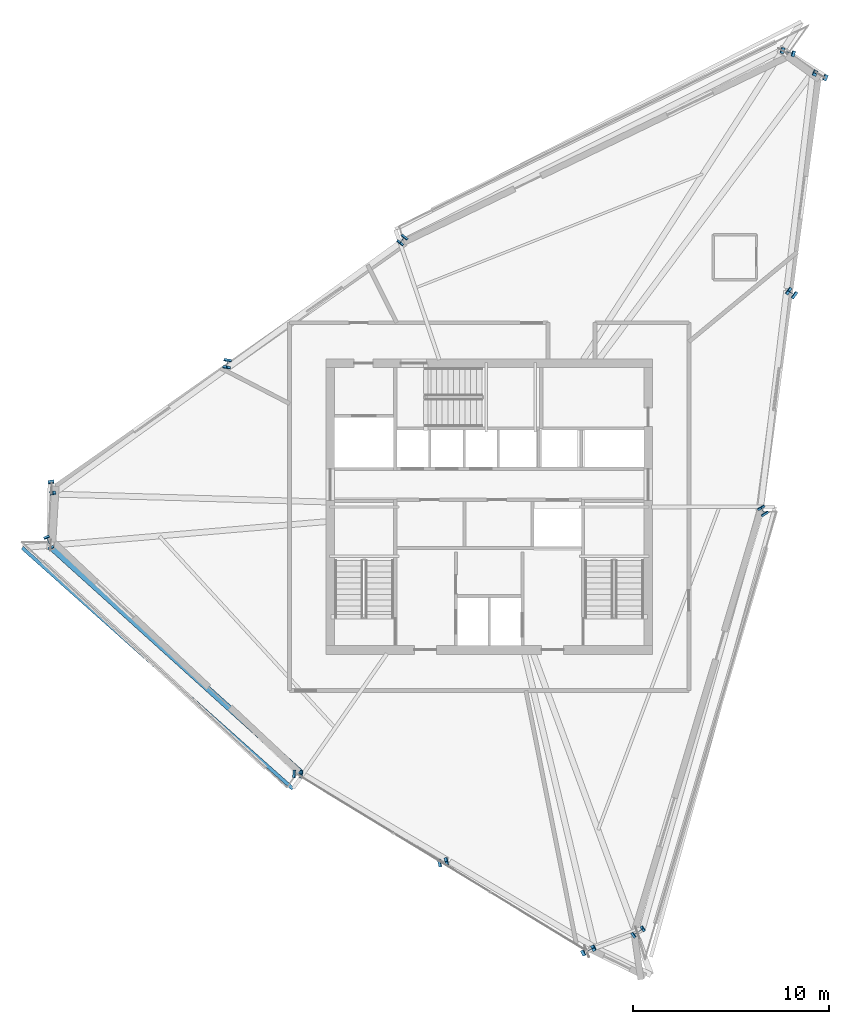
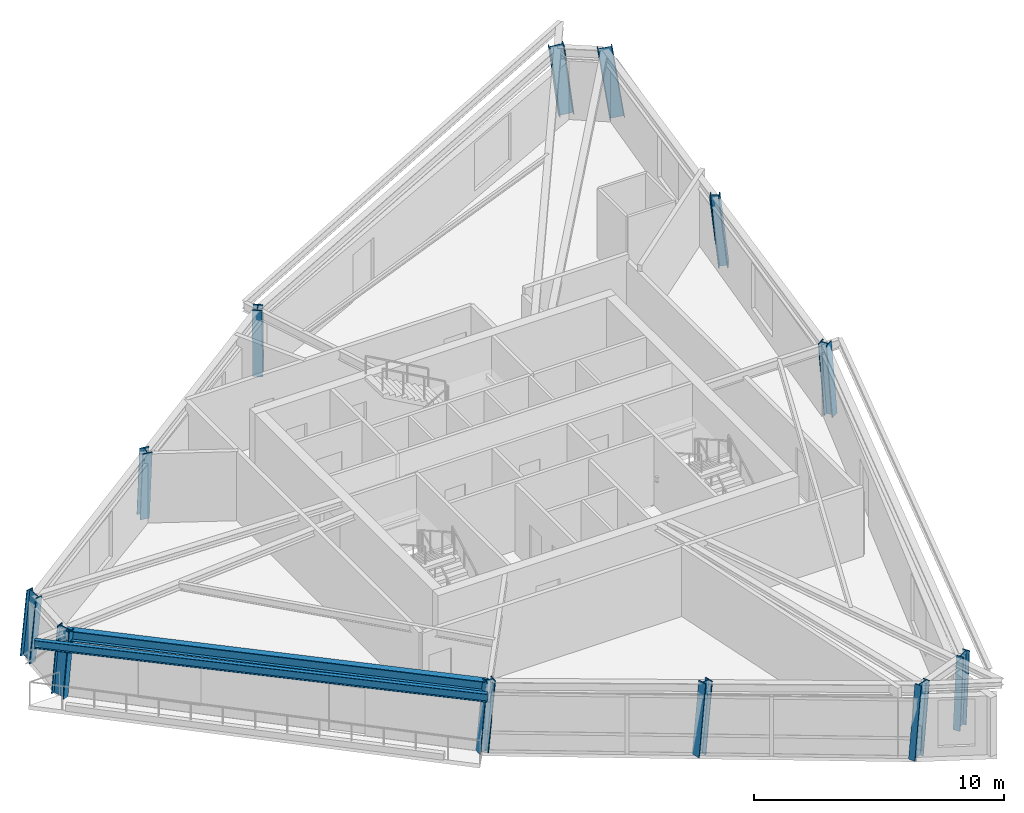
# One storey, part 1 of 14: 12 columns, 2 beams.
"""IFC4 building model written with IfcOpenShell, lengths in metres."""

from ifc_helpers import new_model, si_unit, direction, frame, origin, origin_2d, place, context, subcontext, project, spatial, i_section, extrude, source, transform, mapped, material, material_profile, profile_set, type_object, element, save


model = new_model("IFC4")

# Units and contexts
model_context = context("Model", 3, precision=1e-05, world=origin(), true_north=direction((0.0, 1.0)))
body_context = subcontext(model_context, "Body", "Model", "MODEL_VIEW")
ifc_project = project(units=[si_unit("LENGTHUNIT", "METRE"), si_unit("AREAUNIT", "SQUARE_METRE"), si_unit("VOLUMEUNIT", "CUBIC_METRE"), si_unit("PLANEANGLEUNIT", "RADIAN"), si_unit("MASSUNIT", "GRAM", prefix="KILO")], contexts=[model_context])

# Site, building, storey
site_placement = place(None, origin())
site = spatial("IfcSite", under=ifc_project, at=site_placement, CompositionType="ELEMENT")
building_placement = place(site_placement, origin())
building = spatial("IfcBuilding", under=site, at=building_placement, Name="Olszyna Solenne Hotel", CompositionType="ELEMENT")
storey_placement = place(building_placement, frame((0.0, 0.0, 256.10009765625)))
storey = spatial("IfcBuildingStorey", under=building, at=storey_placement, Name="L68", CompositionType="ELEMENT", Elevation=256.10009765625)

# Columns
ifc_material_1 = material(Name="Steel S460M", Category="steel")
ifc_material_profile_1 = material_profile(ifc_material_1, i_section(OverallWidth=0.304931640625, OverallDepth=0.6201171875, WebThickness=0.02099609375, FlangeThickness=0.0400390625, at=origin_2d()), Name="HEM 600", Category="load-bearing")
ifc_profile_set_1 = profile_set([ifc_material_profile_1], Name="Steel S460M")
column_type_1 = type_object("IfcColumnType", Name="COL-K3", PredefinedType="COLUMN", material=ifc_profile_set_1)
shared_shape_1 = source(origin(), body_context, "Body", "SweptSolid", [
    extrude(i_section(OverallWidth=0.304931640625, OverallDepth=0.6201171875, WebThickness=0.02099609375, FlangeThickness=0.0400390625, at=origin_2d()), origin(), (0.0, 0.0, 1.0), 3.458984375),
])
column_1_placement = place(storey_placement, frame((53.32861328125, 49.80859375, 0.0), z_axis=(-0.112863363899, 0.033597849416, 0.993042318134), x_axis=(-0.285312589615, -0.958434518476, 0.0)))
element("IfcColumn", 1, at=column_1_placement, inside=storey, type_object=column_type_1, Name="Perimeter framed-tube column COL-K3 C-L68-02", PredefinedType="COLUMN", context=body_context, shape_type="MappedRepresentation", body=[
    mapped(shared_shape_1, transform((0.0, 0.0, 0.0), x_axis=(1.0, 0.0, 0.0), y_axis=(0.0, 1.0, 0.0), z_axis=(0.0, 0.0, 1.0), scale=1.0)),
])
shared_shape_2 = source(origin(), body_context, "Body", "SweptSolid", [
    extrude(i_section(OverallWidth=0.304931640625, OverallDepth=0.6201171875, WebThickness=0.02099609375, FlangeThickness=0.0400390625, at=origin_2d()), origin(), (0.0, 0.0, 1.0), 3.4599609375),
])
column_2_placement = place(storey_placement, frame((15.64208984375, 27.65087890625, 0.0), z_axis=(0.018981595146, -0.118617328776, 0.992758595208), x_axis=(0.987436966063, 0.158013410988, 0.0)))
element("IfcColumn", 2, at=column_2_placement, inside=storey, type_object=column_type_1, Name="Perimeter framed-tube column COL-K3 C-L68-05", PredefinedType="COLUMN", context=body_context, shape_type="MappedRepresentation", body=[
    mapped(shared_shape_2, transform((0.0, 0.0, 0.0), x_axis=(1.0, 0.0, 0.0), y_axis=(0.0, 1.0, 0.0), z_axis=(0.0, 0.0, 1.0), scale=1.0)),
])
shared_shape_3 = source(origin(), body_context, "Body", "SweptSolid", [
    extrude(i_section(OverallWidth=0.304931640625, OverallDepth=0.6201171875, WebThickness=0.02099609375, FlangeThickness=0.0400390625, at=origin_2d()), origin(), (0.0, 0.0, 1.0), 3.47021484375),
])
column_3_placement = place(storey_placement, frame((54.99072265625, 48.60791015625, 0.0), z_axis=(-0.130297353121, 0.057198568082, 0.989823683076), x_axis=(-0.401959731094, -0.915657345615, 0.0)))
element("IfcColumn", 3, at=column_3_placement, inside=storey, type_object=column_type_1, Name="Perimeter framed-tube column COL-K3 C-L68-01", PredefinedType="COLUMN", context=body_context, shape_type="MappedRepresentation", body=[
    mapped(shared_shape_3, transform((0.0, 0.0, 0.0), x_axis=(1.0, 0.0, 0.0), y_axis=(0.0, 1.0, 0.0), z_axis=(0.0, 0.0, 1.0), scale=1.0)),
])
ifc_material_profile_2 = material_profile(ifc_material_1, i_section(OverallWidth=0.40087890625, OverallDepth=0.39892578125, WebThickness=0.02197265625, FlangeThickness=0.034423828125, at=origin_2d()), Name="HD 400x314", Category="load-bearing")
ifc_profile_set_2 = profile_set([ifc_material_profile_2], Name="Steel S460M")
column_type_2 = type_object("IfcColumnType", Name="COL-T5", PredefinedType="COLUMN", material=ifc_profile_set_2)
shared_shape_4 = source(origin(), body_context, "Body", "SweptSolid", [
    extrude(i_section(OverallWidth=0.40087890625, OverallDepth=0.39892578125, WebThickness=0.02197265625, FlangeThickness=0.034423828125, at=origin_2d()), origin(), (0.0, 0.0, 1.0), 3.444580078125),
])
column_4_placement = place(storey_placement, frame((33.5859375, 40.259765625, 0.0), z_axis=(-0.046494507313, -0.059393898061, 0.997151255158), x_axis=(0.787425680638, -0.616409602027, 0.0)))
element("IfcColumn", 4, at=column_4_placement, inside=storey, type_object=column_type_2, Name="Perimeter framed-tube column COL-T5 C-L68-03", PredefinedType="COLUMN", context=body_context, shape_type="MappedRepresentation", body=[
    mapped(shared_shape_4, transform((0.0, 0.0, 0.0), x_axis=(1.0, 0.0, 0.0), y_axis=(0.0, 1.0, 0.0), z_axis=(0.0, 0.0, 1.0), scale=1.0)),
])
shared_shape_5 = source(origin(), body_context, "Body", "SweptSolid", [
    extrude(i_section(OverallWidth=0.40087890625, OverallDepth=0.39892578125, WebThickness=0.02197265625, FlangeThickness=0.034423828125, at=origin_2d()), origin(), (0.0, 0.0, 1.0), 3.448974609375),
])
column_5_placement = place(storey_placement, frame((24.614013671875, 33.955322265625, 0.0), z_axis=(-0.013662228685, -0.089123035825, 0.995926919002), x_axis=(0.988453242753, -0.151526192098, 0.0)))
element("IfcColumn", 5, at=column_5_placement, inside=storey, type_object=column_type_2, Name="Perimeter framed-tube column COL-T5 C-L68-04", PredefinedType="COLUMN", context=body_context, shape_type="MappedRepresentation", body=[
    mapped(shared_shape_5, transform((0.0, 0.0, 0.0), x_axis=(1.0, 0.0, 0.0), y_axis=(0.0, 1.0, 0.0), z_axis=(0.0, 0.0, 1.0), scale=1.0)),
])
shared_shape_6 = source(origin(), body_context, "Body", "SweptSolid", [
    extrude(i_section(OverallWidth=0.304931640625, OverallDepth=0.6201171875, WebThickness=0.02099609375, FlangeThickness=0.0400390625, at=origin_2d()), origin(), (0.0, 0.0, 1.0), 3.44775390625),
])
column_6_placement = place(storey_placement, frame((15.473876953125, 24.813720703125, 0.0), z_axis=(0.03363437242, -0.080156020168, 0.996214706488), x_axis=(0.922110017929, 0.386927790209, 0.0)))
element("IfcColumn", 6, at=column_6_placement, inside=storey, type_object=column_type_1, Name="Perimeter framed-tube column COL-K3 C-L68-06", PredefinedType="COLUMN", context=body_context, shape_type="MappedRepresentation", body=[
    mapped(shared_shape_6, transform((0.0, 0.0, 0.0), x_axis=(1.0, 0.0, 0.0), y_axis=(0.0, 1.0, 0.0), z_axis=(0.0, 0.0, 1.0), scale=1.0)),
])
shared_shape_7 = source(origin(), body_context, "Body", "SweptSolid", [
    extrude(i_section(OverallWidth=0.40087890625, OverallDepth=0.39892578125, WebThickness=0.02197265625, FlangeThickness=0.034423828125, at=origin_2d()), origin(), (0.0, 0.0, 1.0), 3.44873046875),
])
column_7_placement = place(storey_placement, frame((28.162109375, 12.9365234375, 0.0), z_axis=(0.089761957636, -0.005663214993, 0.995947146669), x_axis=(0.062966287351, 0.998015654515, 0.0)))
element("IfcColumn", 7, at=column_7_placement, inside=storey, type_object=column_type_2, Name="Perimeter framed-tube column COL-T5 C-L68-07", PredefinedType="COLUMN", context=body_context, shape_type="MappedRepresentation", body=[
    mapped(shared_shape_7, transform((0.0, 0.0, 0.0), x_axis=(1.0, 0.0, 0.0), y_axis=(0.0, 1.0, 0.0), z_axis=(0.0, 0.0, 1.0), scale=1.0)),
])
shared_shape_8 = source(origin(), body_context, "Body", "SweptSolid", [
    extrude(i_section(OverallWidth=0.40087890625, OverallDepth=0.39892578125, WebThickness=0.02197265625, FlangeThickness=0.034423828125, at=origin_2d()), origin(), (0.0, 0.0, 1.0), 3.4541015625),
])
for number, where, z_axis, x_axis, name in (
    (8, (35.580322265625, 8.410400390625, 0.0), (0.102629278969, 0.024597099918, 0.994415513643), (-0.233068975067, 0.972460206313, 0.0), "Perimeter framed-tube column COL-T5 C-L68-08"),
    (9, (53.501953125, 37.4775390625, 0.0), (-0.085524705065, 0.061775696055, 0.994419070714), (-0.585539474342, -0.810643894684, 0.0), "Perimeter framed-tube column COL-T5 C-L68-12"),
):
    element("IfcColumn", number, at=place(storey_placement, frame(where, z_axis=z_axis, x_axis=x_axis)), inside=storey, type_object=column_type_2, Name=name, PredefinedType="COLUMN", context=body_context, shape_type="MappedRepresentation", body=[
        mapped(shared_shape_8, transform((0.0, 0.0, 0.0), x_axis=(1.0, 0.0, 0.0), y_axis=(0.0, 1.0, 0.0), z_axis=(0.0, 0.0, 1.0), scale=1.0)),
    ])
shared_shape_9 = source(origin(), body_context, "Body", "SweptSolid", [
    extrude(i_section(OverallWidth=0.304931640625, OverallDepth=0.6201171875, WebThickness=0.02099609375, FlangeThickness=0.0400390625, at=origin_2d()), origin(), (0.0, 0.0, 1.0), 3.463134765625),
])
column_8_placement = place(storey_placement, frame((42.99853515625, 3.884521484375, 0.0), z_axis=(0.115332752141, 0.054705510795, 0.991819370335), x_axis=(-0.428561087442, 0.903512808061, 0.0)))
element("IfcColumn", 10, at=column_8_placement, inside=storey, type_object=column_type_1, Name="Perimeter framed-tube column COL-K3 C-L68-09", PredefinedType="COLUMN", context=body_context, shape_type="MappedRepresentation", body=[
    mapped(shared_shape_9, transform((0.0, 0.0, 0.0), x_axis=(1.0, 0.0, 0.0), y_axis=(0.0, 1.0, 0.0), z_axis=(0.0, 0.0, 1.0), scale=1.0)),
])
shared_shape_10 = source(origin(), body_context, "Body", "SweptSolid", [
    extrude(i_section(OverallWidth=0.304931640625, OverallDepth=0.6201171875, WebThickness=0.02099609375, FlangeThickness=0.0400390625, at=origin_2d()), origin(), (0.0, 0.0, 1.0), 3.449462890625),
])
column_9_placement = place(storey_placement, frame((45.566162109375, 4.83447265625, 0.0), z_axis=(0.075869693214, 0.052797379793, 0.995718949472), x_axis=(-0.571199084565, 0.820811553155, 0.0)))
element("IfcColumn", 11, at=column_9_placement, inside=storey, type_object=column_type_1, Name="Perimeter framed-tube column COL-K3 C-L68-10", PredefinedType="COLUMN", context=body_context, shape_type="MappedRepresentation", body=[
    mapped(shared_shape_10, transform((0.0, 0.0, 0.0), x_axis=(1.0, 0.0, 0.0), y_axis=(0.0, 1.0, 0.0), z_axis=(0.0, 0.0, 1.0), scale=1.0)),
])
shared_shape_11 = source(origin(), body_context, "Body", "SweptSolid", [
    extrude(i_section(OverallWidth=0.40087890625, OverallDepth=0.39892578125, WebThickness=0.02197265625, FlangeThickness=0.034423828125, at=origin_2d()), origin(), (0.0, 0.0, 1.0), 3.445068359375),
])
column_10_placement = place(storey_placement, frame((52.013427734375, 26.347412109375, 0.0), z_axis=(-0.040322069797, 0.0661168561, 0.996996836518), x_axis=(-0.853756491358, -0.52067250116, 0.0)))
element("IfcColumn", 12, at=column_10_placement, inside=storey, type_object=column_type_2, Name="Perimeter framed-tube column COL-T5 C-L68-11", PredefinedType="COLUMN", context=body_context, shape_type="MappedRepresentation", body=[
    mapped(shared_shape_11, transform((0.0, 0.0, 0.0), x_axis=(1.0, 0.0, 0.0), y_axis=(0.0, 1.0, 0.0), z_axis=(0.0, 0.0, 1.0), scale=1.0)),
])

# Beams
ifc_material_2 = material(Name="Steel S355J2", Category="steel")
ifc_material_profile_3 = material_profile(ifc_material_2, i_section(OverallWidth=0.300048828125, OverallDepth=0.5, WebThickness=0.014404296875, FlangeThickness=0.028076171875, at=origin_2d()), Name="HEB 500", Category="load-bearing")
ifc_profile_set_3 = profile_set([ifc_material_profile_3], Name="Steel S355J2")
beam_type_1 = type_object("IfcBeamType", Name="BM-S3", PredefinedType="BEAM", material=ifc_profile_set_3)
shared_shape_12 = source(origin(), body_context, "Body", "SweptSolid", [
    extrude(i_section(OverallWidth=0.300048828125, OverallDepth=0.5, WebThickness=0.014404296875, FlangeThickness=0.028076171875, at=origin_2d()), origin(), (0.0, 0.0, 1.0), 17.228759765625),
])
beam_1_placement = place(storey_placement, frame((15.634521484375, 24.497314453125, 3.1298828125), z_axis=(0.742519282104, -0.669824690276, 0.0), x_axis=(0.669824690276, 0.742519282104, 0.0)))
element("IfcBeam", 13, at=beam_1_placement, inside=storey, type_object=beam_type_1, Name="Perimeter spandrel beam BM-S3 B-L68-2003", PredefinedType="BEAM", context=body_context, shape_type="MappedRepresentation", body=[
    mapped(shared_shape_12, transform((0.0, 0.0, 0.0), x_axis=(1.0, 0.0, 0.0), y_axis=(0.0, 1.0, 0.0), z_axis=(0.0, 0.0, 1.0), scale=1.0)),
])
ifc_material_profile_4 = material_profile(ifc_material_2, i_section(OverallWidth=0.179931640625, OverallDepth=0.39990234375, WebThickness=0.008544921875, FlangeThickness=0.013427734375, at=origin_2d()), Name="IPE 400", Category="load-bearing")
ifc_profile_set_4 = profile_set([ifc_material_profile_4], Name="Steel S355J2")
beam_type_2 = type_object("IfcBeamType", Name="BM-F5", PredefinedType="BEAM", material=ifc_profile_set_4)
shared_shape_13 = source(origin(), body_context, "Body", "SweptSolid", [
    extrude(i_section(OverallWidth=0.179931640625, OverallDepth=0.39990234375, WebThickness=0.008544921875, FlangeThickness=0.013427734375, at=origin_2d()), origin(), (0.0, 0.0, 1.0), 18.516357421875),
])
beam_2_placement = place(storey_placement, frame((14.138427734375, 24.500244140625, 3.179931640625), z_axis=(0.746730209488, -0.6651270512, 0.0), x_axis=(0.6651270512, 0.746730209488, 0.0)))
element("IfcBeam", 14, at=beam_2_placement, inside=storey, type_object=beam_type_2, Name="Loggia outer edge beam BM-F5 B-L68-2024", PredefinedType="BEAM", context=body_context, shape_type="MappedRepresentation", body=[
    mapped(shared_shape_13, transform((0.0, 0.0, 0.0), x_axis=(1.0, 0.0, 0.0), y_axis=(0.0, 1.0, 0.0), z_axis=(0.0, 0.0, 1.0), scale=1.0)),
])

save(model, "model.ifc")
